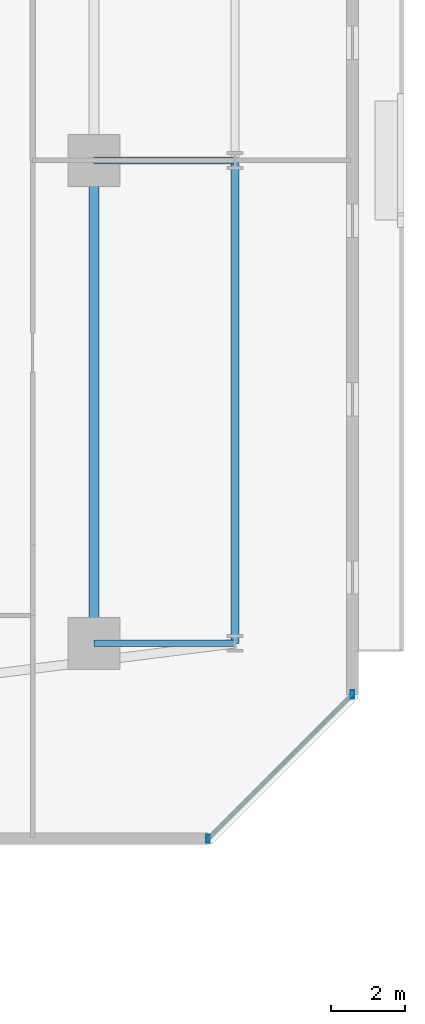
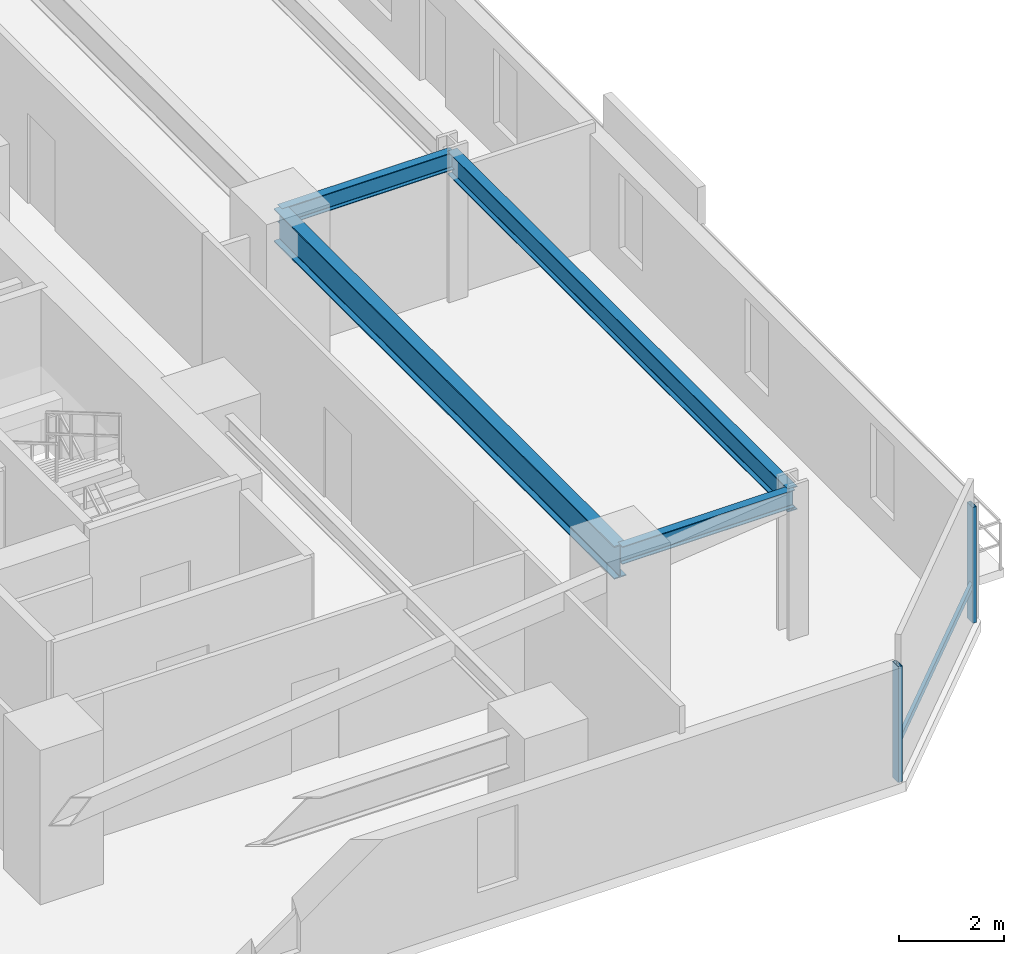
# One storey, part 14 of 34: 4 beams, 3 members, 1 element without a shape of its own.
"""IFC4 building model written with IfcOpenShell, lengths in metres."""

from ifc_helpers import new_model, si_unit, direction, frame, origin, origin_2d, place, context, subcontext, project, spatial, hollow_rectangle, i_section, extrude, material, material_profile, profile_set, type_object, element, aggregate, save


model = new_model("IFC4")

# Units and contexts
model_context = context("Model", 3, precision=1e-05, world=origin(), true_north=direction((0.0, 1.0)))
body_context = subcontext(model_context, "Body", "Model", "MODEL_VIEW")
ifc_project = project(units=[si_unit("LENGTHUNIT", "METRE"), si_unit("AREAUNIT", "SQUARE_METRE"), si_unit("VOLUMEUNIT", "CUBIC_METRE"), si_unit("PLANEANGLEUNIT", "RADIAN"), si_unit("MASSUNIT", "GRAM", prefix="KILO")], contexts=[model_context])

# Site, building, storey
site_placement = place(None, origin())
site = spatial("IfcSite", under=ifc_project, at=site_placement, CompositionType="ELEMENT")
building_placement = place(site_placement, origin())
building = spatial("IfcBuilding", under=site, at=building_placement, Name="Thornwick Lancets Civic Towers", CompositionType="ELEMENT")
storey_placement = place(building_placement, frame((0.0, 0.0, 53.699951171875)))
storey = spatial("IfcBuildingStorey", under=building, at=storey_placement, Name="L13", CompositionType="ELEMENT", Elevation=53.699951171875)

# Beams
ifc_material_1 = material(Name="Steel S355JR", Category="steel")
ifc_material_profile_1 = material_profile(ifc_material_1, i_section(OverallWidth=0.2119140625, OverallDepth=0.54443359375, WebThickness=0.0126953125, FlangeThickness=0.021240234375, FilletRadius=0.0126953125, at=origin_2d()), Name="UKB 533x210x122")
ifc_profile_set_1 = profile_set([ifc_material_profile_1], Name="Steel S355JR")
beam_type_1 = type_object("IfcBeamType", Name="BM_EDGE_533_122", PredefinedType="SPANDREL", material=ifc_profile_set_1)
beam_1_placement = place(storey_placement, frame((109.60009765625, 14.0, 3.087890625), z_axis=(0.0, 1.0, 0.0), x_axis=(-1.0, 0.0, 0.0)))
element("IfcBeam", 1, at=beam_1_placement, inside=storey, type_object=beam_type_1, Name="BM-EDGE-L13-B-S0-1", PredefinedType="SPANDREL", context=body_context, shape_type="SweptSolid", body=[
    extrude(i_section(OverallWidth=0.2119140625, OverallDepth=0.54443359375, WebThickness=0.0126953125, FlangeThickness=0.021240234375, FilletRadius=0.0126953125, at=origin_2d()), origin(), (0.0, 0.0, 1.0), 13.0),
])
ifc_material_profile_2 = material_profile(ifc_material_1, i_section(OverallWidth=0.26806640625, OverallDepth=0.769775390625, WebThickness=0.015625, FlangeThickness=0.025390625, FilletRadius=0.0166015625, at=origin_2d()), Name="UKB 762x267x197")
ifc_profile_set_2 = profile_set([ifc_material_profile_2], Name="Steel S355JR")
beam_type_2 = type_object("IfcBeamType", Name="BM_GIRD_762_197", PredefinedType="BEAM", material=ifc_profile_set_2)
beam_2_placement = place(storey_placement, frame((105.800048828125, 14.0, 2.97509765625), z_axis=(0.0, 1.0, 0.0), x_axis=(-1.0, 0.0, 0.0)))
element("IfcBeam", 2, at=beam_2_placement, inside=storey, type_object=beam_type_2, Name="BM-SPINE-L13-B-0-1", PredefinedType="BEAM", context=body_context, shape_type="SweptSolid", body=[
    extrude(i_section(OverallWidth=0.26806640625, OverallDepth=0.769775390625, WebThickness=0.015625, FlangeThickness=0.025390625, FilletRadius=0.0166015625, at=origin_2d()), origin(), (0.0, 0.0, 1.0), 13.0),
])
ifc_material_profile_3 = material_profile(ifc_material_1, i_section(OverallWidth=0.179443359375, OverallDepth=0.412841796875, WebThickness=0.009521484375, FlangeThickness=0.01611328125, FilletRadius=0.01025390625, at=origin_2d()), Name="UKB 406x178x74")
ifc_profile_set_3 = profile_set([ifc_material_profile_3], Name="Steel S355JR")
beam_type_3 = type_object("IfcBeamType", Name="BM_JOIST_406_74", PredefinedType="JOIST", material=ifc_profile_set_3)
for number, where, z_axis, x_axis, name in (
    (3, (105.800048828125, 14.0, 3.153564453125), (1.0, 0.0, 0.0), (0.0, 1.0, 0.0), "BM-RAD-L13-B01"),
    (4, (105.800048828125, 27.0, 3.153564453125), (1.0, 0.0, 0.0), (0.0, 1.0, 0.0), "BM-RAD-L13-B02"),
):
    element("IfcBeam", number, at=place(storey_placement, frame(where, z_axis=z_axis, x_axis=x_axis)), inside=storey, type_object=beam_type_3, Name=name, PredefinedType="JOIST", context=body_context, shape_type="SweptSolid", body=[
        extrude(i_section(OverallWidth=0.179443359375, OverallDepth=0.412841796875, WebThickness=0.009521484375, FlangeThickness=0.01611328125, FilletRadius=0.01025390625, at=origin_2d()), origin(), (0.0, 0.0, 1.0), 3.800048828125),
    ])

# Curtain wall, members
ifc_material_2 = material(Name="Low-zone chamfered-corner unitised glass curtain wall", Category="glass")
curtain_wall_type = type_object("IfcCurtainWallType", Name="CW_SYS_03", PredefinedType="NOTDEFINED", material=ifc_material_2)
curtain_wall_placement = place(storey_placement, origin())
curtain_wall = element("IfcCurtainWall", 5, at=curtain_wall_placement, inside=storey, type_object=curtain_wall_type, Name="L13 Curtain Wall CW-L13-B-E1", PredefinedType="NOTDEFINED")
ifc_material_3 = material(Name="Thermally broken bronze aluminium S355", Category="steel")
ifc_material_profile_4 = material_profile(ifc_material_3, hollow_rectangle(XDim=0.090087890625, YDim=0.219970703125, WallThickness=0.00634765625, at=origin_2d()), Name="RHS 220x90x6.3")
ifc_profile_set_4 = profile_set([ifc_material_profile_4], Name="Thermally broken bronze aluminium S355")
member_type_1 = type_object("IfcMemberType", Name="CW_MUL_220", PredefinedType="MULLION", material=ifc_profile_set_4)
member_1_placement = place(storey_placement, frame((108.877197265625, 8.739501953125, 0.0), z_axis=(0.0, 0.0, 1.0), x_axis=(1.0, 0.0, 0.0)))
member_1 = element("IfcMember", 6, at=member_1_placement, type_object=member_type_1, Name="CW-L13-B-E1 Mullion 0", PredefinedType="MULLION", context=body_context, shape_type="SweptSolid", body=[
    extrude(hollow_rectangle(XDim=0.090087890625, YDim=0.219970703125, WallThickness=0.00634765625, at=origin_2d()), origin(), (0.0, 0.0, 1.0), 2.699951171875),
])
member_2_placement = place(storey_placement, frame((112.760498046875, 12.622802734375, 0.0), z_axis=(0.0, 0.0, 1.0), x_axis=(1.0, 0.0, 0.0)))
member_2 = element("IfcMember", 7, at=member_2_placement, type_object=member_type_1, Name="CW-L13-B-E1 Mullion 1", PredefinedType="MULLION", context=body_context, shape_type="SweptSolid", body=[
    extrude(hollow_rectangle(XDim=0.090087890625, YDim=0.219970703125, WallThickness=0.00634765625, at=origin_2d()), origin(), (0.0, 0.0, 1.0), 2.699951171875),
])
ifc_material_profile_5 = material_profile(ifc_material_3, hollow_rectangle(XDim=0.074951171875, YDim=0.14990234375, WallThickness=0.0048828125, at=origin_2d()), Name="RHS 150x75x5")
ifc_profile_set_5 = profile_set([ifc_material_profile_5], Name="Thermally broken bronze aluminium S355")
member_type_2 = type_object("IfcMemberType", Name="CW_TRN_150", PredefinedType="USERDEFINED", material=ifc_profile_set_5)
member_3_placement = place(storey_placement, frame((108.89111328125, 8.75341796875, 0.85009765625), z_axis=(0.707106781187, 0.707106781187, 0.0), x_axis=(-0.707106781187, 0.707106781187, 0.0)))
member_3 = element("IfcMember", 8, at=member_3_placement, type_object=member_type_2, Name="CW-L13-B-E1 Transom 0", ObjectType="TRANSOM", PredefinedType="USERDEFINED", context=body_context, shape_type="SweptSolid", body=[
    extrude(hollow_rectangle(XDim=0.074951171875, YDim=0.14990234375, WallThickness=0.0048828125, at=origin_2d()), origin(), (0.0, 0.0, 1.0), 5.452392578125),
])
aggregate(curtain_wall, [member_1, member_2, member_3])

save(model, "model.ifc")
